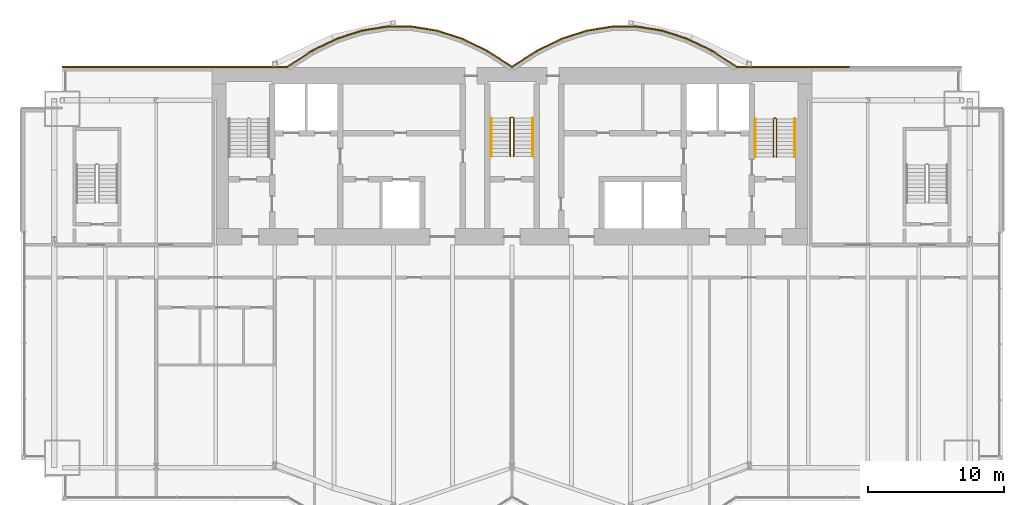
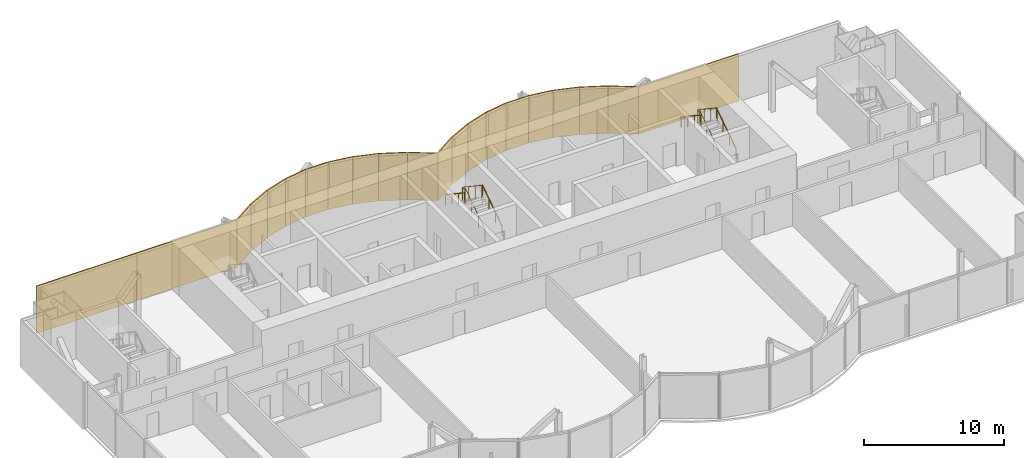
# One storey, part 19 of 20: 21 coverings, 6 railings.
"""IFC4 building model written with IfcOpenShell, lengths in metres."""

from ifc_helpers import new_model, si_unit, direction, frame, origin, origin_2d, place, context, subcontext, project, spatial, rectangle, circle, extrude, material, layer, layer_set, type_object, element, save


model = new_model("IFC4")

# Units and contexts
model_context = context("Model", 3, precision=1e-05, world=origin(), true_north=direction((0.0, 1.0)))
body_context = subcontext(model_context, "Body", "Model", "MODEL_VIEW")
ifc_project = project(units=[si_unit("LENGTHUNIT", "METRE"), si_unit("AREAUNIT", "SQUARE_METRE"), si_unit("VOLUMEUNIT", "CUBIC_METRE"), si_unit("PLANEANGLEUNIT", "RADIAN"), si_unit("MASSUNIT", "GRAM", prefix="KILO")], contexts=[model_context])

# Site, building, storey
site_placement = place(None, origin())
site = spatial("IfcSite", under=ifc_project, at=site_placement, CompositionType="ELEMENT")
building_placement = place(site_placement, origin())
building = spatial("IfcBuilding", under=site, at=building_placement, Name="Bicima Exchange Tower", CompositionType="ELEMENT")
storey_placement = place(building_placement, frame((0.0, 0.0, 215.5)))
storey = spatial("IfcBuildingStorey", under=building, at=storey_placement, Name="L48", CompositionType="ELEMENT", Elevation=215.5)

# Coverings
ifc_material_1 = material(Name="Bronze metal cladding")
ifc_layer_1 = layer(ifc_material_1, 0.004)
ifc_material_2 = material(Name="Ventilated cavity")
ifc_layer_2 = layer(ifc_material_2, 0.06)
ifc_material_3 = material(Name="Galvanised steel rail and mineral wool", Category="steel")
ifc_layer_3 = layer(ifc_material_3, 0.036)
ifc_layer_set = layer_set([ifc_layer_1, ifc_layer_2, ifc_layer_3], Name="Ventilated cavity")
covering_type = type_object("IfcCoveringType", Name="Bronze metal cladding panel 100", PredefinedType="CLADDING", material=ifc_layer_set)
covering_1_placement = place(storey_placement, frame((20.625, 0.050048828125, -0.150146484375), z_axis=(0.0, 0.0, 1.0), x_axis=(-1.0, 0.0, 0.0)))
element("IfcCovering", 1, at=covering_1_placement, inside=storey, type_object=covering_type, Name="Bronze cladding L48 1.2", PredefinedType="CLADDING", context=body_context, shape_type="SweptSolid", body=[
    extrude(rectangle(XDim=8.25, YDim=0.10009765625, at=origin_2d()), origin(), (0.0, 0.0, 1.0), 4.10009765625),
])
covering_2_placement = place(storey_placement, frame((15.610595703125, 0.634521484375, -0.150146484375), z_axis=(0.0, 0.0, 1.0), x_axis=(-0.839790466384, 0.542910648791, 0.0)))
element("IfcCovering", 2, at=covering_2_placement, inside=storey, type_object=covering_type, Name="Bronze cladding L48 2.1", PredefinedType="CLADDING", context=body_context, shape_type="SweptSolid", body=[
    extrude(rectangle(XDim=2.18310546875, YDim=0.10009765625, at=origin_2d()), origin(), (0.0, 0.0, 1.0), 4.10009765625),
])
covering_3_placement = place(storey_placement, frame((13.771728515625, 1.674560546875, -0.150146484375), z_axis=(0.0, 0.0, 1.0), x_axis=(-0.899818346812, 0.436264762204, 0.0)))
element("IfcCovering", 3, at=covering_3_placement, inside=storey, type_object=covering_type, Name="Bronze cladding L48 3.1", PredefinedType="CLADDING", context=body_context, shape_type="SweptSolid", body=[
    extrude(rectangle(XDim=2.03759765625, YDim=0.10009765625, at=origin_2d()), origin(), (0.0, 0.0, 1.0), 4.10009765625),
])
covering_4_placement = place(storey_placement, frame((11.931884765625, 2.41796875, -0.150146484375), z_axis=(0.0, 0.0, 1.0), x_axis=(-0.951524642381, 0.307572519808, 0.0)))
element("IfcCovering", 4, at=covering_4_placement, inside=storey, type_object=covering_type, Name="Bronze cladding L48 4.1", PredefinedType="CLADDING", context=body_context, shape_type="SweptSolid", body=[
    extrude(rectangle(XDim=1.9267578125, YDim=0.10009765625, at=origin_2d()), origin(), (0.0, 0.0, 1.0), 4.10009765625),
])
covering_5_placement = place(storey_placement, frame((10.09130859375, 2.8642578125, -0.150146484375), z_axis=(0.0, 0.0, 1.0), x_axis=(-0.987189786347, 0.159550386184, 0.0)))
element("IfcCovering", 5, at=covering_5_placement, inside=storey, type_object=covering_type, Name="Bronze cladding L48 5.1", PredefinedType="CLADDING", context=body_context, shape_type="SweptSolid", body=[
    extrude(rectangle(XDim=1.857177734375, YDim=0.10009765625, at=origin_2d()), origin(), (0.0, 0.0, 1.0), 4.10009765625),
])
covering_6_placement = place(storey_placement, frame((8.25, 3.012939453125, -0.150146484375), z_axis=(0.0, 0.0, 1.0), x_axis=(-1.0, 0.0, 0.0)))
element("IfcCovering", 6, at=covering_6_placement, inside=storey, type_object=covering_type, Name="Bronze cladding L48 6.1", PredefinedType="CLADDING", context=body_context, shape_type="SweptSolid", body=[
    extrude(rectangle(XDim=1.83349609375, YDim=0.10009765625, at=origin_2d()), origin(), (0.0, 0.0, 1.0), 4.10009765625),
])
covering_7_placement = place(storey_placement, frame((6.40869140625, 2.8642578125, -0.150146484375), z_axis=(0.0, 0.0, 1.0), x_axis=(-0.987189786347, -0.159550386184, 0.0)))
element("IfcCovering", 7, at=covering_7_placement, inside=storey, type_object=covering_type, Name="Bronze cladding L48 7.1", PredefinedType="CLADDING", context=body_context, shape_type="SweptSolid", body=[
    extrude(rectangle(XDim=1.857177734375, YDim=0.10009765625, at=origin_2d()), origin(), (0.0, 0.0, 1.0), 4.10009765625),
])
covering_8_placement = place(storey_placement, frame((4.568115234375, 2.41796875, -0.150146484375), z_axis=(0.0, 0.0, 1.0), x_axis=(-0.951524642381, -0.307572519808, 0.0)))
element("IfcCovering", 8, at=covering_8_placement, inside=storey, type_object=covering_type, Name="Bronze cladding L48 8.1", PredefinedType="CLADDING", context=body_context, shape_type="SweptSolid", body=[
    extrude(rectangle(XDim=1.9267578125, YDim=0.10009765625, at=origin_2d()), origin(), (0.0, 0.0, 1.0), 4.10009765625),
])
covering_9_placement = place(storey_placement, frame((2.728271484375, 1.674560546875, -0.150146484375), z_axis=(0.0, 0.0, 1.0), x_axis=(-0.899818346812, -0.436264762204, 0.0)))
element("IfcCovering", 9, at=covering_9_placement, inside=storey, type_object=covering_type, Name="Bronze cladding L48 9.1", PredefinedType="CLADDING", context=body_context, shape_type="SweptSolid", body=[
    extrude(rectangle(XDim=2.03759765625, YDim=0.10009765625, at=origin_2d()), origin(), (0.0, 0.0, 1.0), 4.10009765625),
])
for number, where, z_axis, x_axis, name in (
    (10, (0.889404296875, 0.634521484375, -0.150146484375), (0.0, 0.0, 1.0), (-0.839790466384, -0.542910648791, 0.0), "Bronze cladding L48 10.1"),
    (11, (-0.889404296875, 0.634521484375, -0.150146484375), (0.0, 0.0, 1.0), (-0.839790466384, 0.542910648791, 0.0), "Bronze cladding L48 11.1"),
):
    element("IfcCovering", number, at=place(storey_placement, frame(where, z_axis=z_axis, x_axis=x_axis)), inside=storey, type_object=covering_type, Name=name, PredefinedType="CLADDING", context=body_context, shape_type="SweptSolid", body=[
        extrude(rectangle(XDim=2.18310546875, YDim=0.10009765625, at=origin_2d()), origin(), (0.0, 0.0, 1.0), 4.10009765625),
    ])
covering_10_placement = place(storey_placement, frame((-2.728271484375, 1.674560546875, -0.150146484375), z_axis=(0.0, 0.0, 1.0), x_axis=(-0.899818346812, 0.436264762204, 0.0)))
element("IfcCovering", 12, at=covering_10_placement, inside=storey, type_object=covering_type, Name="Bronze cladding L48 12.1", PredefinedType="CLADDING", context=body_context, shape_type="SweptSolid", body=[
    extrude(rectangle(XDim=2.03759765625, YDim=0.10009765625, at=origin_2d()), origin(), (0.0, 0.0, 1.0), 4.10009765625),
])
covering_11_placement = place(storey_placement, frame((-4.568115234375, 2.41796875, -0.150146484375), z_axis=(0.0, 0.0, 1.0), x_axis=(-0.951524642381, 0.307572519808, 0.0)))
element("IfcCovering", 13, at=covering_11_placement, inside=storey, type_object=covering_type, Name="Bronze cladding L48 13.1", PredefinedType="CLADDING", context=body_context, shape_type="SweptSolid", body=[
    extrude(rectangle(XDim=1.9267578125, YDim=0.10009765625, at=origin_2d()), origin(), (0.0, 0.0, 1.0), 4.10009765625),
])
covering_12_placement = place(storey_placement, frame((-6.40869140625, 2.8642578125, -0.150146484375), z_axis=(0.0, 0.0, 1.0), x_axis=(-0.987189786347, 0.159550386184, 0.0)))
element("IfcCovering", 14, at=covering_12_placement, inside=storey, type_object=covering_type, Name="Bronze cladding L48 14.1", PredefinedType="CLADDING", context=body_context, shape_type="SweptSolid", body=[
    extrude(rectangle(XDim=1.857177734375, YDim=0.10009765625, at=origin_2d()), origin(), (0.0, 0.0, 1.0), 4.10009765625),
])
covering_13_placement = place(storey_placement, frame((-8.25, 3.012939453125, -0.150146484375), z_axis=(0.0, 0.0, 1.0), x_axis=(-1.0, 0.0, 0.0)))
element("IfcCovering", 15, at=covering_13_placement, inside=storey, type_object=covering_type, Name="Bronze cladding L48 15.1", PredefinedType="CLADDING", context=body_context, shape_type="SweptSolid", body=[
    extrude(rectangle(XDim=1.83349609375, YDim=0.10009765625, at=origin_2d()), origin(), (0.0, 0.0, 1.0), 4.10009765625),
])
covering_14_placement = place(storey_placement, frame((-10.09130859375, 2.8642578125, -0.150146484375), z_axis=(0.0, 0.0, 1.0), x_axis=(-0.987189786347, -0.159550386184, 0.0)))
element("IfcCovering", 16, at=covering_14_placement, inside=storey, type_object=covering_type, Name="Bronze cladding L48 16.1", PredefinedType="CLADDING", context=body_context, shape_type="SweptSolid", body=[
    extrude(rectangle(XDim=1.857177734375, YDim=0.10009765625, at=origin_2d()), origin(), (0.0, 0.0, 1.0), 4.10009765625),
])
covering_15_placement = place(storey_placement, frame((-11.931884765625, 2.41796875, -0.150146484375), z_axis=(0.0, 0.0, 1.0), x_axis=(-0.951524642381, -0.307572519808, 0.0)))
element("IfcCovering", 17, at=covering_15_placement, inside=storey, type_object=covering_type, Name="Bronze cladding L48 17.1", PredefinedType="CLADDING", context=body_context, shape_type="SweptSolid", body=[
    extrude(rectangle(XDim=1.9267578125, YDim=0.10009765625, at=origin_2d()), origin(), (0.0, 0.0, 1.0), 4.10009765625),
])
covering_16_placement = place(storey_placement, frame((-13.771728515625, 1.674560546875, -0.150146484375), z_axis=(0.0, 0.0, 1.0), x_axis=(-0.899818346812, -0.436264762204, 0.0)))
element("IfcCovering", 18, at=covering_16_placement, inside=storey, type_object=covering_type, Name="Bronze cladding L48 18.1", PredefinedType="CLADDING", context=body_context, shape_type="SweptSolid", body=[
    extrude(rectangle(XDim=2.03759765625, YDim=0.10009765625, at=origin_2d()), origin(), (0.0, 0.0, 1.0), 4.10009765625),
])
covering_17_placement = place(storey_placement, frame((-15.610595703125, 0.634521484375, -0.150146484375), z_axis=(0.0, 0.0, 1.0), x_axis=(-0.839790466384, -0.542910648791, 0.0)))
element("IfcCovering", 19, at=covering_17_placement, inside=storey, type_object=covering_type, Name="Bronze cladding L48 19.1", PredefinedType="CLADDING", context=body_context, shape_type="SweptSolid", body=[
    extrude(rectangle(XDim=2.18310546875, YDim=0.10009765625, at=origin_2d()), origin(), (0.0, 0.0, 1.0), 4.10009765625),
])
for number, where, z_axis, x_axis, name in (
    (20, (-20.625, 0.050048828125, -0.150146484375), (0.0, 0.0, 1.0), (-1.0, 0.0, 0.0), "Bronze cladding L48 20.1"),
    (21, (-28.875, 0.050048828125, -0.150146484375), (0.0, 0.0, 1.0), (-1.0, 0.0, 0.0), "Bronze cladding L48 20.2"),
):
    element("IfcCovering", number, at=place(storey_placement, frame(where, z_axis=z_axis, x_axis=x_axis)), inside=storey, type_object=covering_type, Name=name, PredefinedType="CLADDING", context=body_context, shape_type="SweptSolid", body=[
        extrude(rectangle(XDim=8.25, YDim=0.10009765625, at=origin_2d()), origin(), (0.0, 0.0, 1.0), 4.10009765625),
    ])

# Railings
ifc_material_4 = material(Name="Stainless steel", Category="steel")
railing_type_1 = type_object("IfcRailingType", Name="Stair guard 1100", PredefinedType="GUARDRAIL", material=ifc_material_4)
railing_1_placement = place(storey_placement, frame((0.125, -6.5, 0.186279296875)))
element("IfcRailing", 22, at=railing_1_placement, inside=storey, type_object=railing_type_1, Name="L48 ST-C stair guard 1", PredefinedType="GUARDRAIL", context=body_context, shape_type="SweptSolid", body=[
    extrude(circle(Radius=0.02392578125, at=origin_2d()), frame((0.0, 0.0, 1.076171875), z_axis=(0.0, 0.832452072856, 0.554097055034), x_axis=(-1.0, 0.0, 0.0)), (0.0, 0.0, 1.0), 3.363525390625),
    extrude(circle(Radius=0.02392578125, at=origin_2d()), frame((0.0, 2.800048828125, 2.93994140625), z_axis=(-0.707106781187, 0.707106781187, 0.0), x_axis=(-0.707106781187, -0.707106781187, 0.0)), (0.0, 0.0, 1.0), 0.07080078125),
    extrude(circle(Radius=0.02392578125, at=origin_2d()), frame((-0.050048828125, 2.85009765625, 2.93994140625), z_axis=(-1.0, 0.0, 0.0), x_axis=(0.0, -1.0, 0.0)), (0.0, 0.0, 1.0), 0.14990234375),
    extrude(circle(Radius=0.02392578125, at=origin_2d()), frame((-0.199951171875, 2.85009765625, 2.93994140625), z_axis=(-0.251157038772, -0.251157038772, 0.934794246747), x_axis=(0.707106781187, -0.707106781187, 0.0)), (0.0, 0.0, 1.0), 0.19921875),
    extrude(circle(Radius=0.02392578125, at=origin_2d()), frame((-0.25, 2.800048828125, 3.1259765625), z_axis=(0.0, -0.832452072856, 0.554097055034), x_axis=(1.0, 0.0, 0.0)), (0.0, 0.0, 1.0), 3.363525390625),
    extrude(circle(Radius=0.02099609375, at=origin_2d()), origin(), (0.0, 0.0, 1.0), 1.052001953125),
    extrude(circle(Radius=0.02099609375, at=origin_2d()), frame((0.0, 0.933349609375, 0.621337890625)), (0.0, 0.0, 1.0), 1.052001953125),
    extrude(circle(Radius=0.02099609375, at=origin_2d()), frame((0.0, 1.86669921875, 1.242431640625)), (0.0, 0.0, 1.0), 1.052001953125),
    extrude(circle(Radius=0.02099609375, at=origin_2d()), frame((0.0, 2.800048828125, 1.86376953125)), (0.0, 0.0, 1.0), 1.052001953125),
    extrude(circle(Radius=0.02099609375, at=origin_2d()), frame((-0.050048828125, 2.85009765625, 1.86376953125)), (0.0, 0.0, 1.0), 1.052001953125),
    extrude(circle(Radius=0.02099609375, at=origin_2d()), frame((-0.199951171875, 2.85009765625, 1.86376953125)), (0.0, 0.0, 1.0), 1.052001953125),
    extrude(circle(Radius=0.02099609375, at=origin_2d()), frame((-0.25, 2.800048828125, 2.050048828125)), (0.0, 0.0, 1.0), 1.052001953125),
    extrude(circle(Radius=0.02099609375, at=origin_2d()), frame((-0.25, 1.86669921875, 2.67138671875)), (0.0, 0.0, 1.0), 1.052001953125),
    extrude(circle(Radius=0.02099609375, at=origin_2d()), frame((-0.25, 0.933349609375, 3.29248046875)), (0.0, 0.0, 1.0), 1.052001953125),
    extrude(circle(Radius=0.02099609375, at=origin_2d()), frame((-0.25, 0.0, 3.913818359375)), (0.0, 0.0, 1.0), 1.052001953125),
])
railing_2_placement = place(storey_placement, frame((19.39990234375, -6.550048828125, 0.186279296875)))
element("IfcRailing", 23, at=railing_2_placement, inside=storey, type_object=railing_type_1, Name="L48 ST-E stair guard 1", PredefinedType="GUARDRAIL", context=body_context, shape_type="SweptSolid", body=[
    extrude(circle(Radius=0.02392578125, at=origin_2d()), frame((0.0, 0.0, 1.076171875), z_axis=(0.0, 0.832452072856, 0.554097055034), x_axis=(-1.0, 0.0, 0.0)), (0.0, 0.0, 1.0), 3.363525390625),
    extrude(circle(Radius=0.02392578125, at=origin_2d()), frame((0.0, 2.800048828125, 2.93994140625), z_axis=(-0.705375805398, 0.708833529934, 0.0), x_axis=(-0.708833529934, -0.705375805398, 0.0)), (0.0, 0.0, 1.0), 0.070556640625),
    extrude(circle(Radius=0.02392578125, at=origin_2d()), frame((-0.0498046875, 2.85009765625, 2.93994140625), z_axis=(-1.0, 0.0, 0.0), x_axis=(0.0, -1.0, 0.0)), (0.0, 0.0, 1.0), 0.10009765625),
    extrude(circle(Radius=0.02392578125, at=origin_2d()), frame((-0.14990234375, 2.85009765625, 2.93994140625), z_axis=(-0.251157038772, -0.251157038772, 0.934794246747), x_axis=(0.707106781187, -0.707106781187, 0.0)), (0.0, 0.0, 1.0), 0.19921875),
    extrude(circle(Radius=0.02392578125, at=origin_2d()), frame((-0.199951171875, 2.800048828125, 3.1259765625), z_axis=(0.0, -0.832452072856, 0.554097055034), x_axis=(1.0, 0.0, 0.0)), (0.0, 0.0, 1.0), 3.363525390625),
    extrude(circle(Radius=0.02099609375, at=origin_2d()), origin(), (0.0, 0.0, 1.0), 1.052001953125),
    extrude(circle(Radius=0.02099609375, at=origin_2d()), frame((0.0, 0.933349609375, 0.621337890625)), (0.0, 0.0, 1.0), 1.052001953125),
    extrude(circle(Radius=0.02099609375, at=origin_2d()), frame((0.0, 1.86669921875, 1.242431640625)), (0.0, 0.0, 1.0), 1.052001953125),
    extrude(circle(Radius=0.02099609375, at=origin_2d()), frame((0.0, 2.800048828125, 1.86376953125)), (0.0, 0.0, 1.0), 1.052001953125),
    extrude(circle(Radius=0.02099609375, at=origin_2d()), frame((-0.0498046875, 2.85009765625, 1.86376953125)), (0.0, 0.0, 1.0), 1.052001953125),
    extrude(circle(Radius=0.02099609375, at=origin_2d()), frame((-0.14990234375, 2.85009765625, 1.86376953125)), (0.0, 0.0, 1.0), 1.052001953125),
    extrude(circle(Radius=0.02099609375, at=origin_2d()), frame((-0.199951171875, 2.800048828125, 2.050048828125)), (0.0, 0.0, 1.0), 1.052001953125),
    extrude(circle(Radius=0.02099609375, at=origin_2d()), frame((-0.199951171875, 1.86669921875, 2.67138671875)), (0.0, 0.0, 1.0), 1.052001953125),
    extrude(circle(Radius=0.02099609375, at=origin_2d()), frame((-0.199951171875, 0.933349609375, 3.29248046875)), (0.0, 0.0, 1.0), 1.052001953125),
    extrude(circle(Radius=0.02099609375, at=origin_2d()), frame((-0.199951171875, 0.0, 3.913818359375)), (0.0, 0.0, 1.0), 1.052001953125),
])
railing_type_2 = type_object("IfcRailingType", Name="Stair handrail 900", PredefinedType="HANDRAIL", material=ifc_material_4)
railing_3_placement = place(storey_placement, frame((1.52490234375, -6.5, 0.186279296875)))
element("IfcRailing", 24, at=railing_3_placement, inside=storey, type_object=railing_type_2, Name="L48 ST-C stair handrail 1", PredefinedType="HANDRAIL", context=body_context, shape_type="SweptSolid", body=[
    extrude(circle(Radius=0.02392578125, at=origin_2d()), frame((0.0, 0.0, 0.8759765625), z_axis=(0.0, 0.832452072856, 0.554097055034), x_axis=(-1.0, 0.0, 0.0)), (0.0, 0.0, 1.0), 3.363525390625),
    extrude(circle(Radius=0.02099609375, at=origin_2d()), origin(), (0.0, 0.0, 1.0), 0.851806640625),
    extrude(circle(Radius=0.02099609375, at=origin_2d()), frame((0.0, 0.933349609375, 0.621337890625)), (0.0, 0.0, 1.0), 0.851806640625),
    extrude(circle(Radius=0.02099609375, at=origin_2d()), frame((0.0, 1.86669921875, 1.242431640625)), (0.0, 0.0, 1.0), 0.851806640625),
    extrude(circle(Radius=0.02099609375, at=origin_2d()), frame((0.0, 2.800048828125, 1.86376953125)), (0.0, 0.0, 1.0), 0.851806640625),
])
railing_4_placement = place(storey_placement, frame((-1.52490234375, -3.699951171875, 2.27685546875)))
element("IfcRailing", 25, at=railing_4_placement, inside=storey, type_object=railing_type_2, Name="L48 ST-C stair handrail 2", PredefinedType="HANDRAIL", context=body_context, shape_type="SweptSolid", body=[
    extrude(circle(Radius=0.02392578125, at=origin_2d()), frame((0.0, 0.0, 0.8759765625), z_axis=(0.0, -0.832485552168, 0.554046753832), x_axis=(1.0, 0.0, 0.0)), (0.0, 0.0, 1.0), 3.363525390625),
    extrude(circle(Radius=0.02099609375, at=origin_2d()), origin(), (0.0, 0.0, 1.0), 0.851806640625),
    extrude(circle(Radius=0.02099609375, at=origin_2d()), frame((0.0, -0.933349609375, 0.62109375)), (0.0, 0.0, 1.0), 0.851806640625),
    extrude(circle(Radius=0.02099609375, at=origin_2d()), frame((0.0, -1.86669921875, 1.242431640625)), (0.0, 0.0, 1.0), 0.851806640625),
    extrude(circle(Radius=0.02099609375, at=origin_2d()), frame((0.0, -2.800048828125, 1.863525390625)), (0.0, 0.0, 1.0), 0.851806640625),
])
railing_5_placement = place(storey_placement, frame((20.75, -6.550048828125, 0.186279296875)))
element("IfcRailing", 26, at=railing_5_placement, inside=storey, type_object=railing_type_2, Name="L48 ST-E stair handrail 1", PredefinedType="HANDRAIL", context=body_context, shape_type="SweptSolid", body=[
    extrude(circle(Radius=0.02392578125, at=origin_2d()), frame((0.0, 0.0, 0.8759765625), z_axis=(0.0, 0.832452072856, 0.554097055034), x_axis=(-1.0, 0.0, 0.0)), (0.0, 0.0, 1.0), 3.363525390625),
    extrude(circle(Radius=0.02099609375, at=origin_2d()), origin(), (0.0, 0.0, 1.0), 0.851806640625),
    extrude(circle(Radius=0.02099609375, at=origin_2d()), frame((0.0, 0.933349609375, 0.621337890625)), (0.0, 0.0, 1.0), 0.851806640625),
    extrude(circle(Radius=0.02099609375, at=origin_2d()), frame((0.0, 1.86669921875, 1.242431640625)), (0.0, 0.0, 1.0), 0.851806640625),
    extrude(circle(Radius=0.02099609375, at=origin_2d()), frame((0.0, 2.800048828125, 1.86376953125)), (0.0, 0.0, 1.0), 0.851806640625),
])
railing_6_placement = place(storey_placement, frame((17.85009765625, -3.75, 2.27685546875)))
element("IfcRailing", 27, at=railing_6_placement, inside=storey, type_object=railing_type_2, Name="L48 ST-E stair handrail 2", PredefinedType="HANDRAIL", context=body_context, shape_type="SweptSolid", body=[
    extrude(circle(Radius=0.02392578125, at=origin_2d()), frame((0.0, 0.0, 0.8759765625), z_axis=(0.0, -0.832485552168, 0.554046753832), x_axis=(1.0, 0.0, 0.0)), (0.0, 0.0, 1.0), 3.363525390625),
    extrude(circle(Radius=0.02099609375, at=origin_2d()), origin(), (0.0, 0.0, 1.0), 0.851806640625),
    extrude(circle(Radius=0.02099609375, at=origin_2d()), frame((0.0, -0.933349609375, 0.62109375)), (0.0, 0.0, 1.0), 0.851806640625),
    extrude(circle(Radius=0.02099609375, at=origin_2d()), frame((0.0, -1.86669921875, 1.242431640625)), (0.0, 0.0, 1.0), 0.851806640625),
    extrude(circle(Radius=0.02099609375, at=origin_2d()), frame((0.0, -2.800048828125, 1.863525390625)), (0.0, 0.0, 1.0), 0.851806640625),
])

save(model, "model.ifc")
